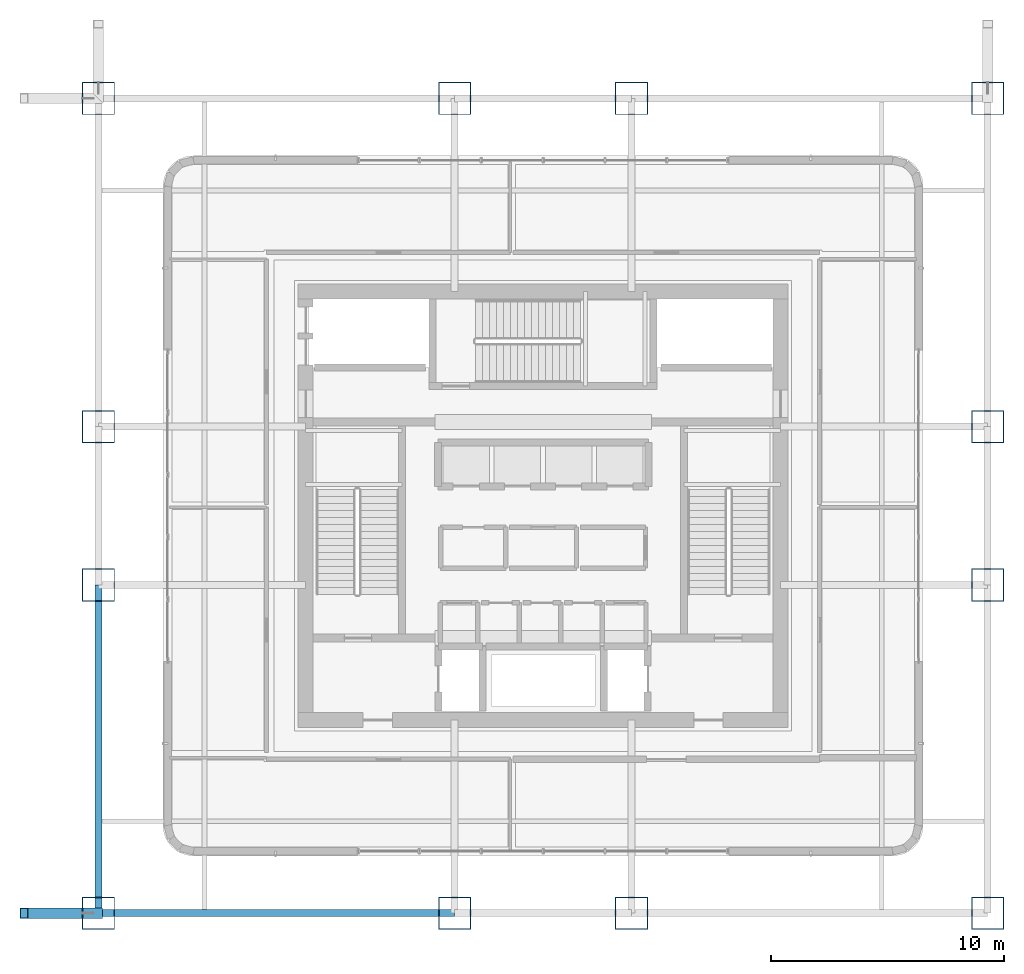
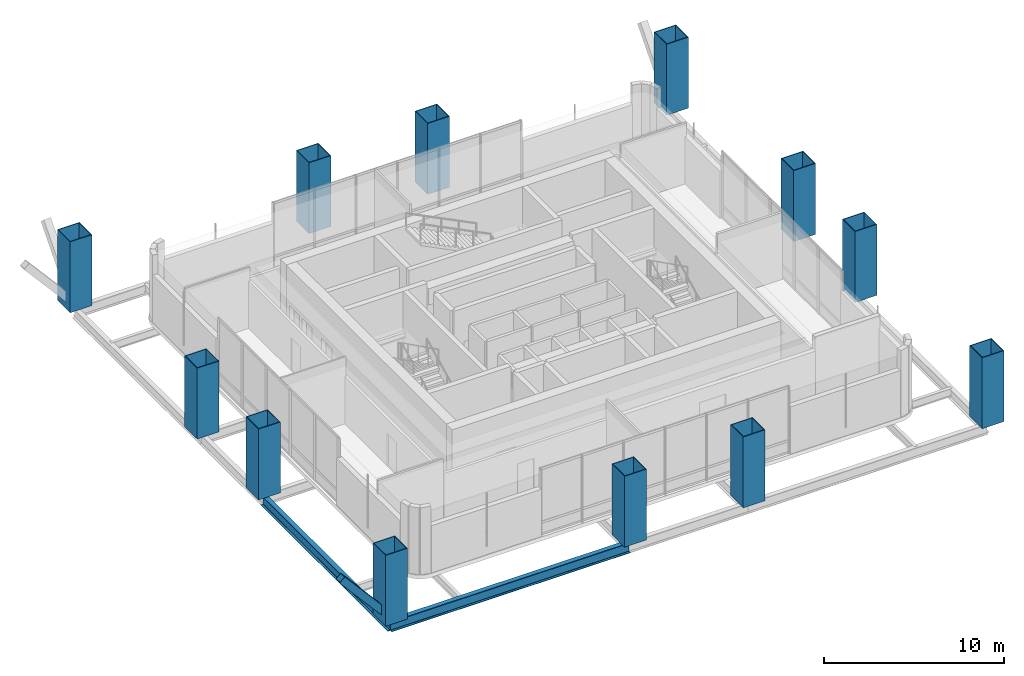
# One storey, part 1 of 30: 12 columns, 2 beams, 1 member.
"""IFC4 building model written with IfcOpenShell, lengths in metres."""

from ifc_helpers import new_model, si_unit, direction, frame, origin, origin_2d, place, context, subcontext, project, spatial, hollow_rectangle, i_section, extrude, material, material_profile, profile_set, type_object, element, save


model = new_model("IFC4")

# Units and contexts
model_context = context("Model", 3, precision=1e-05, world=origin(), true_north=direction((0.0, 1.0)))
body_context = subcontext(model_context, "Body", "Model", "MODEL_VIEW")
ifc_project = project(units=[si_unit("LENGTHUNIT", "METRE"), si_unit("AREAUNIT", "SQUARE_METRE"), si_unit("VOLUMEUNIT", "CUBIC_METRE"), si_unit("PLANEANGLEUNIT", "RADIAN"), si_unit("MASSUNIT", "GRAM", prefix="KILO")], contexts=[model_context])

# Site, building, storey
site_placement = place(None, origin())
site = spatial("IfcSite", under=ifc_project, at=site_placement, CompositionType="ELEMENT")
building_placement = place(site_placement, origin())
building = spatial("IfcBuilding", under=site, at=building_placement, Name="Punatoya Terracotta Tower", CompositionType="ELEMENT")
storey_placement = place(building_placement, frame((0.0, 0.0, 135.0)))
storey = spatial("IfcBuildingStorey", under=building, at=storey_placement, Name="L31", CompositionType="ELEMENT", Elevation=135.0)

# Columns
ifc_material_1 = material(Name="Steel S460", Category="steel")
ifc_material_profile_1 = material_profile(ifc_material_1, hollow_rectangle(XDim=1.39990234375, YDim=1.39990234375, WallThickness=0.0419921875, at=origin_2d()))
ifc_profile_set_1 = profile_set([ifc_material_profile_1], Name="Steel S460")
column_type = type_object("IfcColumnType", Name="COL-MC-Z2", PredefinedType="COLUMN", material=ifc_profile_set_1)
for number, where, z_axis, x_axis, name in (
    (1, (-19.10009765625, -17.5, 0.0), (0.0, 0.0, 1.0), (1.0, 0.0, 0.0), "L31 Composite Mega-Column MC-01 (3-B)"),
    (2, (-3.800048828125, -17.5, 0.0), (0.0, 0.0, 1.0), (1.0, 0.0, 0.0), "L31 Composite Mega-Column MC-02 (5-B)"),
    (3, (3.800048828125, -17.5, 0.0), (0.0, 0.0, 1.0), (1.0, 0.0, 0.0), "L31 Composite Mega-Column MC-03 (7-B)"),
    (4, (19.10009765625, -17.5, 0.0), (0.0, 0.0, 1.0), (1.0, 0.0, 0.0), "L31 Composite Mega-Column MC-04 (9-B)"),
    (5, (19.10009765625, -3.39990234375, 0.0), (0.0, 0.0, 1.0), (1.0, 0.0, 0.0), "L31 Composite Mega-Column MC-05 (9-D)"),
    (6, (19.10009765625, 3.39990234375, 0.0), (0.0, 0.0, 1.0), (1.0, 0.0, 0.0), "L31 Composite Mega-Column MC-06 (9-E)"),
    (7, (19.10009765625, 17.5, 0.0), (0.0, 0.0, 1.0), (1.0, 0.0, 0.0), "L31 Composite Mega-Column MC-07 (9-G)"),
    (8, (3.800048828125, 17.5, 0.0), (0.0, 0.0, 1.0), (1.0, 0.0, 0.0), "L31 Composite Mega-Column MC-08 (7-G)"),
    (9, (-3.800048828125, 17.5, 0.0), (0.0, 0.0, 1.0), (1.0, 0.0, 0.0), "L31 Composite Mega-Column MC-09 (5-G)"),
    (10, (-19.10009765625, 17.5, 0.0), (0.0, 0.0, 1.0), (1.0, 0.0, 0.0), "L31 Composite Mega-Column MC-10 (3-G)"),
    (11, (-19.10009765625, 3.39990234375, 0.0), (0.0, 0.0, 1.0), (1.0, 0.0, 0.0), "L31 Composite Mega-Column MC-11 (3-E)"),
    (12, (-19.10009765625, -3.39990234375, 0.0), (0.0, 0.0, 1.0), (1.0, 0.0, 0.0), "L31 Composite Mega-Column MC-12 (3-D)"),
):
    element("IfcColumn", number, at=place(storey_placement, frame(where, z_axis=z_axis, x_axis=x_axis)), inside=storey, type_object=column_type, Name=name, PredefinedType="COLUMN", context=body_context, shape_type="SweptSolid", body=[
        extrude(hollow_rectangle(XDim=1.39990234375, YDim=1.39990234375, WallThickness=0.0419921875, at=origin_2d()), origin(), (0.0, 0.0, 1.0), 4.800048828125),
    ])

# Beams
ifc_material_2 = material(Name="Steel S355", Category="steel")
ifc_material_profile_2 = material_profile(ifc_material_2, i_section(OverallWidth=0.300048828125, OverallDepth=0.699951171875, WebThickness=0.01708984375, FlangeThickness=0.031982421875, FilletRadius=0.01806640625, at=origin_2d()))
ifc_profile_set_2 = profile_set([ifc_material_profile_2], Name="Steel S355")
beam_type = type_object("IfcBeamType", Name="BM-PRI-700", PredefinedType="BEAM", material=ifc_profile_set_2)
beam_1_placement = place(storey_placement, frame((-19.10009765625, -17.5, -0.610107421875), z_axis=(1.0, 0.0, 0.0), x_axis=(0.0, 1.0, 0.0)))
element("IfcBeam", 13, at=beam_1_placement, inside=storey, type_object=beam_type, Name="BM-L31-RG-S1", PredefinedType="BEAM", context=body_context, shape_type="SweptSolid", body=[
    extrude(i_section(OverallWidth=0.300048828125, OverallDepth=0.699951171875, WebThickness=0.01708984375, FlangeThickness=0.031982421875, FilletRadius=0.01806640625, at=origin_2d()), origin(), (0.0, 0.0, 1.0), 15.300048828125),
])
beam_2_placement = place(storey_placement, frame((-19.10009765625, -17.5, -0.610107421875), z_axis=(0.0, 1.0, 0.0), x_axis=(-1.0, 0.0, 0.0)))
element("IfcBeam", 14, at=beam_2_placement, inside=storey, type_object=beam_type, Name="BM-L31-RG-W1", PredefinedType="BEAM", context=body_context, shape_type="SweptSolid", body=[
    extrude(i_section(OverallWidth=0.300048828125, OverallDepth=0.699951171875, WebThickness=0.01708984375, FlangeThickness=0.031982421875, FilletRadius=0.01806640625, at=origin_2d()), origin(), (0.0, 0.0, 1.0), 14.10009765625),
])

# Member
ifc_material_profile_3 = material_profile(ifc_material_1, hollow_rectangle(XDim=0.449951171875, YDim=0.449951171875, WallThickness=0.02490234375, at=origin_2d()))
ifc_profile_set_3 = profile_set([ifc_material_profile_3], Name="Steel S460")
member_type = type_object("IfcMemberType", Name="MEM-STR-450", PredefinedType="STRUT", material=ifc_profile_set_3)
member_placement = place(storey_placement, frame((-19.10009765625, -17.5, 0.02001953125), z_axis=(-0.654151161257, 0.0, 0.756363839845), x_axis=(0.0, -1.0, 0.0)))
element("IfcMember", 15, at=member_placement, inside=storey, type_object=member_type, Name="L32 Cantilever Raking Knee-Strut W1", PredefinedType="STRUT", context=body_context, shape_type="SweptSolid", body=[
    extrude(hollow_rectangle(XDim=0.449951171875, YDim=0.449951171875, WallThickness=0.02490234375, at=origin_2d()), origin(), (0.0, 0.0, 1.0), 4.891845703125),
])

save(model, "model.ifc")
